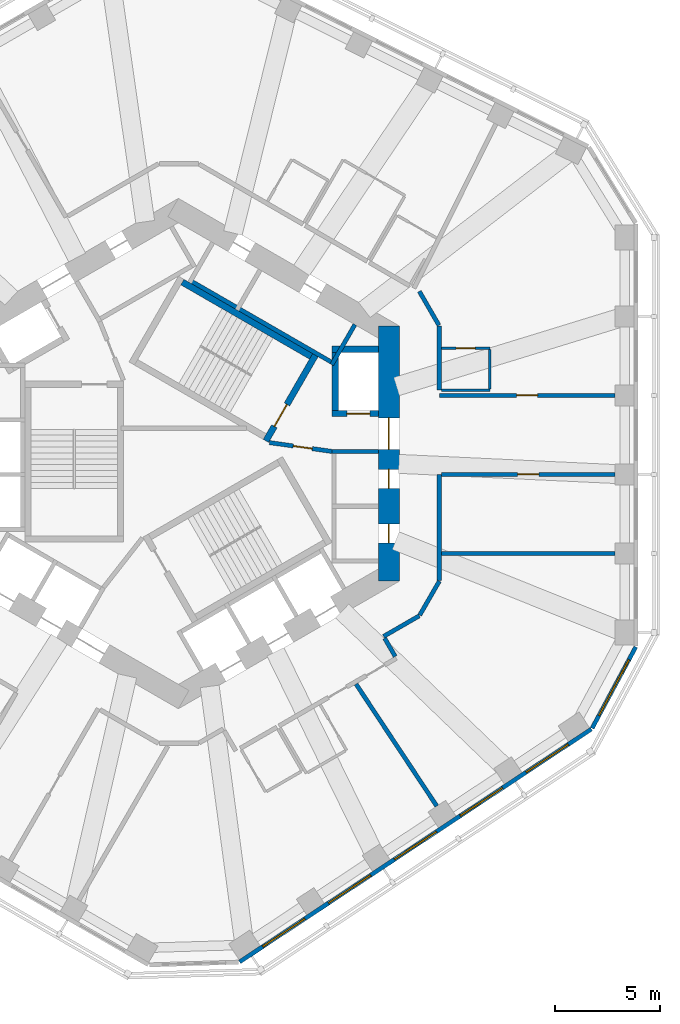
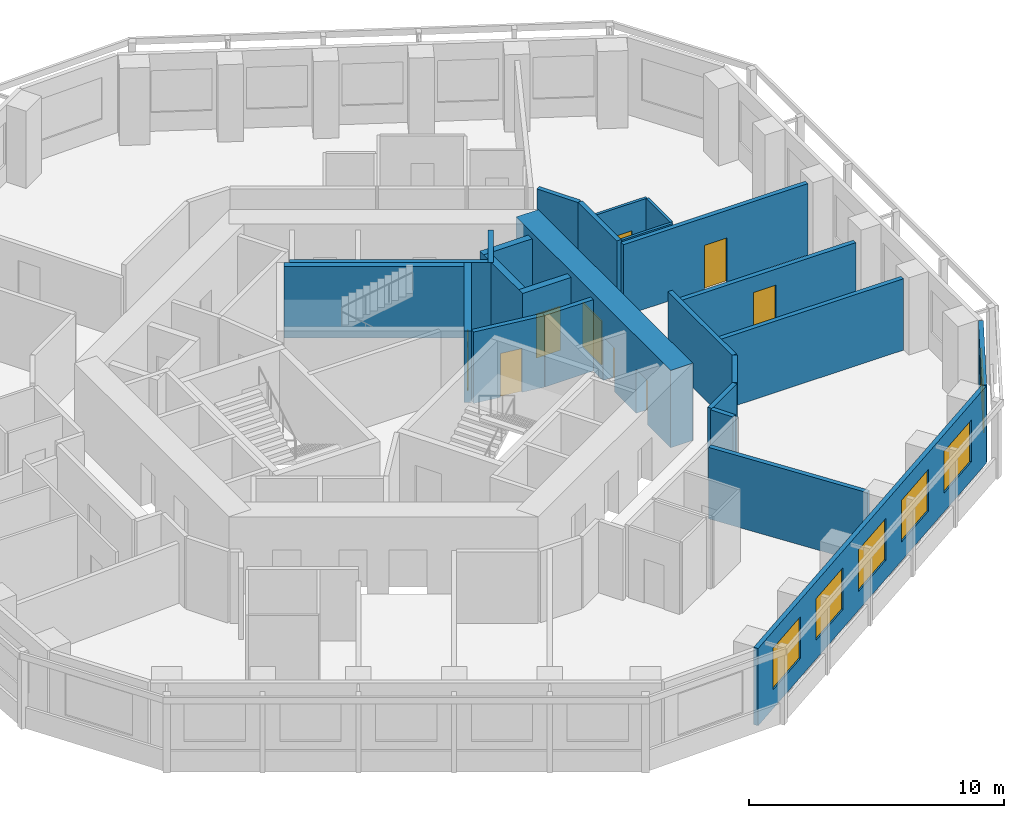
# One storey, part 6 of 11: 25 walls, 9 doors, 6 windows, 15 openings.
"""IFC4 building model written with IfcOpenShell, lengths in metres."""

from ifc_helpers import new_model, si_unit, direction, frame, frame_2d, origin, place, context, subcontext, project, spatial, rectangle, extrude, material, layer, layer_set, type_object, element, fill, save


model = new_model("IFC4")

# Units and contexts
model_context = context("Model", 3, precision=1e-05, world=origin(), true_north=direction((0.0, 1.0)))
body_context = subcontext(model_context, "Body", "Model", "MODEL_VIEW")
ifc_project = project(units=[si_unit("LENGTHUNIT", "METRE"), si_unit("AREAUNIT", "SQUARE_METRE"), si_unit("VOLUMEUNIT", "CUBIC_METRE"), si_unit("PLANEANGLEUNIT", "RADIAN"), si_unit("MASSUNIT", "GRAM", prefix="KILO")], contexts=[model_context])

# Site, building, storey
site_placement = place(None, origin())
site = spatial("IfcSite", under=ifc_project, at=site_placement, CompositionType="ELEMENT")
building_placement = place(site_placement, origin())
building = spatial("IfcBuilding", under=site, at=building_placement, Name="Vanh Sen Convention Tower", CompositionType="ELEMENT")
storey_placement = place(building_placement, frame((0.0, 0.0, 168.800048828125)))
storey = spatial("IfcBuildingStorey", under=building, at=storey_placement, Name="L41", CompositionType="ELEMENT", Elevation=168.800048828125)

# Wall, opening, door
ifc_material_1 = material(Name="Moisture-resistant gypsum board on steel studs", Category="steel")
ifc_layer_1 = layer(ifc_material_1, 0.1201171875)
ifc_layer_set_1 = layer_set([ifc_layer_1], Name="Moisture-resistant gypsum board on steel studs")
wall_type_1 = type_object("IfcWallType", Name="Bathroom partition 120", PredefinedType="PARTITIONING", material=ifc_layer_set_1)
wall_1_placement = place(storey_placement, frame((12.5, 5.01123046875, 0.0), z_axis=(0.0, 0.0, 1.0), x_axis=(1.0, 0.0, 0.0)))
wall_1 = element("IfcWall", 1, at=wall_1_placement, inside=storey, type_object=wall_type_1, Name="Bathroom partition 120", PredefinedType="PARTITIONING", context=body_context, shape_type="SweptSolid", body=[
    extrude(rectangle(XDim=2.300048828125, YDim=0.1201171875, at=frame_2d((1.14990234375, 0.0))), origin(), (0.0, 0.0, 1.0), 3.419921875),
])
opening_1_placement = place(wall_1_placement, frame((0.699951171875, 0.0, 0.0)))
opening_1 = element("IfcOpeningElement", 2, at=opening_1_placement, cuts=wall_1, Name="Opening D41102", PredefinedType="OPENING", context=body_context, shape_type="SweptSolid", body=[
    extrude(rectangle(XDim=0.89990234375, YDim=2.10009765625, at=frame_2d((0.449951171875, 1.050048828125))), frame((0.0, 0.070068359375, 0.0), z_axis=(0.0, -1.0, 0.0), x_axis=(1.0, 0.0, 0.0)), (0.0, 0.0, 1.0), 0.14013671875),
])
ifc_material_2 = material(Name="Laminate door in steel frame", Category="steel")
door_type_1 = type_object("IfcDoorType", Name="Room internal door 900", OperationType="SINGLE_SWING_LEFT", PredefinedType="DOOR", material=ifc_material_2)
door_1_placement = place(opening_1_placement, origin())
door_1 = element("IfcDoor", 3, at=door_1_placement, inside=storey, type_object=door_type_1, Name="Internal room door D41102", OperationType="SINGLE_SWING_LEFT", OverallHeight=2.10009765625, OverallWidth=0.89990234375, PredefinedType="DOOR", context=body_context, shape_type="SweptSolid", body=[
    extrude(rectangle(XDim=0.89990234375, YDim=2.10009765625, at=frame_2d((0.449951171875, 1.050048828125))), frame((0.0, 0.02490234375, 0.0), z_axis=(0.0, -1.0, 0.0), x_axis=(1.0, 0.0, 0.0)), (0.0, 0.0, 1.0), 0.050048828125),
])
fill(opening_1, door_1)

# Walls
wall_2_placement = place(storey_placement, frame((14.800048828125, 3.01123046875, 0.0), z_axis=(0.0, 0.0, 1.0), x_axis=(-1.0, 0.0, 0.0)))
element("IfcWall", 4, at=wall_2_placement, inside=storey, type_object=wall_type_1, Name="Bathroom partition 120", PredefinedType="PARTITIONING", context=body_context, shape_type="SweptSolid", body=[
    extrude(rectangle(XDim=2.300048828125, YDim=0.1201171875, at=frame_2d((1.14990234375, 0.0))), origin(), (0.0, 0.0, 1.0), 3.419921875),
])
wall_3_placement = place(storey_placement, frame((14.800048828125, 4.951416015625, 0.0), z_axis=(0.0, 0.0, 1.0), x_axis=(0.0, -1.0, 0.0)))
element("IfcWall", 5, at=wall_3_placement, inside=storey, type_object=wall_type_1, Name="Bathroom partition 120", PredefinedType="PARTITIONING", context=body_context, shape_type="SweptSolid", body=[
    extrude(rectangle(XDim=1.880126953125, YDim=0.1201171875, at=frame_2d((0.93994140625, 0.0))), origin(), (0.0, 0.0, 1.0), 3.419921875),
])

# Wall, openings, doors
ifc_material_3 = material(Name="Concrete C80/95", Category="concrete")
ifc_layer_2 = layer(ifc_material_3, 1.0)
ifc_layer_set_2 = layer_set([ifc_layer_2], Name="Concrete C80/95")
wall_type_2 = type_object("IfcWallType", Name="Core outer wall 1000 C80/95", PredefinedType="SHEAR", material=ifc_layer_set_2)
wall_4_placement = place(storey_placement, frame((10.0, -6.062255859375, 0.0), z_axis=(0.0, 0.0, 1.0), x_axis=(0.0, 1.0, 0.0)))
wall_4 = element("IfcWall", 6, at=wall_4_placement, inside=storey, type_object=wall_type_2, Name="Core wall face E L41", PredefinedType="SHEAR", context=body_context, shape_type="SweptSolid", body=[
    extrude(rectangle(XDim=12.12451171875, YDim=1.0, at=frame_2d((6.062255859375, 0.0))), origin(), (0.0, 0.0, 1.0), 3.699951171875),
])
opening_2_placement = place(wall_4_placement, frame((6.26220703125, 0.0, 0.0)))
opening_2 = element("IfcOpeningElement", 7, at=opening_2_placement, cuts=wall_4, Name="Opening D41001", PredefinedType="OPENING", context=body_context, shape_type="SweptSolid", body=[
    extrude(rectangle(XDim=1.5, YDim=2.10009765625, at=frame_2d((0.75, 1.050048828125))), frame((0.0, 0.510009765625, 0.0), z_axis=(0.0, -1.0, 0.0), x_axis=(1.0, 0.0, 0.0)), (0.0, 0.0, 1.0), 1.02001953125),
])
opening_3_placement = place(wall_4_placement, frame((1.812255859375, 0.0, 0.0)))
opening_3 = element("IfcOpeningElement", 8, at=opening_3_placement, cuts=wall_4, Name="Opening D41009", PredefinedType="OPENING", context=body_context, shape_type="SweptSolid", body=[
    extrude(rectangle(XDim=0.89990234375, YDim=2.10009765625, at=frame_2d((0.449951171875, 1.050048828125))), frame((0.0, 0.510009765625, 0.0), z_axis=(0.0, -1.0, 0.0), x_axis=(1.0, 0.0, 0.0)), (0.0, 0.0, 1.0), 1.02001953125),
])
opening_4_placement = place(wall_4_placement, frame((4.412109375, 0.0, 0.0)))
opening_4 = element("IfcOpeningElement", 9, at=opening_4_placement, cuts=wall_4, Name="Opening D41010", PredefinedType="OPENING", context=body_context, shape_type="SweptSolid", body=[
    extrude(rectangle(XDim=0.89990234375, YDim=2.10009765625, at=frame_2d((0.449951171875, 1.050048828125))), frame((0.0, 0.510009765625, 0.0), z_axis=(0.0, -1.0, 0.0), x_axis=(1.0, 0.0, 0.0)), (0.0, 0.0, 1.0), 1.02001953125),
])
ifc_material_4 = material(Name="Steel S355", Category="steel")
door_type_2 = type_object("IfcDoorType", Name="Plant door 900", OperationType="SINGLE_SWING_LEFT", PredefinedType="DOOR", material=ifc_material_4)
door_2_placement = place(opening_3_placement, origin())
door_2 = element("IfcDoor", 10, at=door_2_placement, inside=storey, type_object=door_type_2, Name="Plant door D41009", OperationType="SINGLE_SWING_LEFT", OverallHeight=2.10009765625, OverallWidth=0.89990234375, PredefinedType="DOOR", context=body_context, shape_type="SweptSolid", body=[
    extrude(rectangle(XDim=0.89990234375, YDim=2.10009765625, at=frame_2d((0.449951171875, 1.050048828125))), frame((0.0, 0.02490234375, 0.0), z_axis=(0.0, -1.0, 0.0), x_axis=(1.0, 0.0, 0.0)), (0.0, 0.0, 1.0), 0.050048828125),
])
fill(opening_3, door_2)
door_3_placement = place(opening_4_placement, origin())
door_3 = element("IfcDoor", 11, at=door_3_placement, inside=storey, type_object=door_type_2, Name="Plant door D41010", OperationType="SINGLE_SWING_LEFT", OverallHeight=2.10009765625, OverallWidth=0.89990234375, PredefinedType="DOOR", context=body_context, shape_type="SweptSolid", body=[
    extrude(rectangle(XDim=0.89990234375, YDim=2.10009765625, at=frame_2d((0.449951171875, 1.050048828125))), frame((0.0, 0.02490234375, 0.0), z_axis=(0.0, -1.0, 0.0), x_axis=(1.0, 0.0, 0.0)), (0.0, 0.0, 1.0), 0.050048828125),
])
fill(opening_4, door_3)
door_type_3 = type_object("IfcDoorType", Name="Stair lobby door 1500", OperationType="DOUBLE_DOOR_SINGLE_SWING", PredefinedType="DOOR", material=ifc_material_4)
door_4_placement = place(opening_2_placement, origin())
door_4 = element("IfcDoor", 12, at=door_4_placement, inside=storey, type_object=door_type_3, Name="Stair lobby door D41001", OperationType="DOUBLE_DOOR_SINGLE_SWING", OverallHeight=2.10009765625, OverallWidth=1.5, PredefinedType="DOOR", context=body_context, shape_type="SweptSolid", body=[
    extrude(rectangle(XDim=1.5, YDim=2.10009765625, at=frame_2d((0.75, 1.050048828125))), frame((0.0, 0.02490234375, 0.0), z_axis=(0.0, -1.0, 0.0), x_axis=(1.0, 0.0, 0.0)), (0.0, 0.0, 1.0), 0.050048828125),
])
fill(opening_2, door_4)

# Walls
ifc_material_5 = material(Name="Gypsum board on steel studs with mineral wool", Category="steel")
ifc_layer_3 = layer(ifc_material_5, 0.199951171875)
ifc_layer_set_3 = layer_set([ifc_layer_3], Name="Gypsum board on steel studs with mineral wool")
wall_type_3 = type_object("IfcWallType", Name="Corridor partition wall 200", PredefinedType="PARTITIONING", material=ifc_layer_set_3)
wall_5_placement = place(storey_placement, frame((9.751708984375, -8.688232421875, 0.0), z_axis=(0.0, 0.0, 1.0), x_axis=(0.865974105138, 0.500088841337, 0.0)))
element("IfcWall", 13, at=wall_5_placement, inside=storey, type_object=wall_type_3, Name="Corridor partition wall 200", PredefinedType="PARTITIONING", context=body_context, shape_type="SweptSolid", body=[
    extrude(rectangle(XDim=1.961181640625, YDim=0.199951171875, at=frame_2d((0.98046875, 0.0))), origin(), (0.0, 0.0, 1.0), 3.419921875),
])
wall_6_placement = place(storey_placement, frame((10.302001953125, -9.6416015625, 0.0), z_axis=(0.0, 0.0, 1.0), x_axis=(-0.500074377092, 0.865982457891, 0.0)))
element("IfcWall", 14, at=wall_6_placement, inside=storey, type_object=wall_type_3, Name="Corridor partition wall 200", PredefinedType="PARTITIONING", context=body_context, shape_type="SweptSolid", body=[
    extrude(rectangle(XDim=1.000732421875, YDim=0.199951171875, at=frame_2d((0.50048828125, 0.0))), origin(), (0.0, 0.0, 1.0), 3.419921875),
])
for number, where, z_axis, x_axis, name in (
    (15, (11.469970703125, -7.673095703125, 0.0), (0.0, 0.0, 1.0), (0.499964847546, 0.866045698112, 0.0), "Corridor partition wall 200"),
    (16, (12.3798828125, 6.0966796875, 0.0), (0.0, 0.0, 1.0), (-0.499964847546, 0.866045698112, 0.0), "Corridor partition wall 200"),
):
    element("IfcWall", number, at=place(storey_placement, frame(where, z_axis=z_axis, x_axis=x_axis)), inside=storey, type_object=wall_type_3, Name=name, PredefinedType="PARTITIONING", context=body_context, shape_type="SweptSolid", body=[
        extrude(rectangle(XDim=1.860107421875, YDim=0.199951171875, at=frame_2d((0.93017578125, 0.0))), origin(), (0.0, 0.0, 1.0), 3.419921875),
    ])
wall_7_placement = place(storey_placement, frame((12.39990234375, -6.022216796875, 0.0), z_axis=(0.0, 0.0, 1.0), x_axis=(0.0, 1.0, 0.0)))
element("IfcWall", 17, at=wall_7_placement, inside=storey, type_object=wall_type_3, Name="Corridor partition wall 200", PredefinedType="PARTITIONING", context=body_context, shape_type="SweptSolid", body=[
    extrude(rectangle(XDim=5.029296875, YDim=0.199951171875, at=frame_2d((2.5146484375, 0.0))), origin(), (0.0, 0.0, 1.0), 3.419921875),
])
wall_8_placement = place(storey_placement, frame((12.39990234375, 3.01123046875, 0.0), z_axis=(0.0, 0.0, 1.0), x_axis=(0.0, 1.0, 0.0)))
element("IfcWall", 18, at=wall_8_placement, inside=storey, type_object=wall_type_3, Name="Corridor partition wall 200", PredefinedType="PARTITIONING", context=body_context, shape_type="SweptSolid", body=[
    extrude(rectangle(XDim=3.051025390625, YDim=0.199951171875, at=frame_2d((1.525390625, 0.0))), origin(), (0.0, 0.0, 1.0), 3.419921875),
])

# Wall, opening, door
wall_9_placement = place(storey_placement, frame((12.5, -0.992919921875, 0.0), z_axis=(0.0, 0.0, 1.0), x_axis=(1.0, 0.0, 0.0)))
wall_9 = element("IfcWall", 19, at=wall_9_placement, inside=storey, type_object=wall_type_3, Name="Corridor partition wall 200", PredefinedType="PARTITIONING", context=body_context, shape_type="SweptSolid", body=[
    extrude(rectangle(XDim=8.25, YDim=0.199951171875, at=frame_2d((4.125, 0.0))), origin(), (0.0, 0.0, 1.0), 2.869873046875),
])
opening_5_placement = place(wall_9_placement, frame((3.625, 0.0, 0.0)))
opening_5 = element("IfcOpeningElement", 20, at=opening_5_placement, cuts=wall_9, Name="Opening D41120", PredefinedType="OPENING", context=body_context, shape_type="SweptSolid", body=[
    extrude(rectangle(XDim=1.0, YDim=2.10009765625, at=frame_2d((0.5, 1.050048828125))), frame((0.0, 0.10986328125, 0.0), z_axis=(0.0, -1.0, 0.0), x_axis=(1.0, 0.0, 0.0)), (0.0, 0.0, 1.0), 0.219970703125),
])
ifc_material_6 = material(Name="Glazed fire door in steel frame", Category="steel")
door_type_4 = type_object("IfcDoorType", Name="Tenant entrance door 1000", OperationType="SINGLE_SWING_LEFT", PredefinedType="DOOR", material=ifc_material_6)
door_5_placement = place(opening_5_placement, origin())
door_5 = element("IfcDoor", 21, at=door_5_placement, inside=storey, type_object=door_type_4, Name="Tenant suite entrance door D41120", OperationType="SINGLE_SWING_LEFT", OverallHeight=2.10009765625, OverallWidth=1.0, PredefinedType="DOOR", context=body_context, shape_type="SweptSolid", body=[
    extrude(rectangle(XDim=1.0, YDim=2.10009765625, at=frame_2d((0.5, 1.050048828125))), frame((0.0, 0.02490234375, 0.0), z_axis=(0.0, -1.0, 0.0), x_axis=(1.0, 0.0, 0.0)), (0.0, 0.0, 1.0), 0.050048828125),
])
fill(opening_5, door_5)

wall_10_placement = place(storey_placement, frame((20.75, 2.76123046875, 0.0), z_axis=(0.0, 0.0, 1.0), x_axis=(-1.0, 0.0, 0.0)))
wall_10 = element("IfcWall", 22, at=wall_10_placement, inside=storey, type_object=wall_type_3, Name="Corridor partition wall 200", PredefinedType="PARTITIONING", context=body_context, shape_type="SweptSolid", body=[
    extrude(rectangle(XDim=8.35009765625, YDim=0.199951171875, at=frame_2d((4.175048828125, 0.0))), origin(), (0.0, 0.0, 1.0), 3.419921875),
])
opening_6_placement = place(wall_10_placement, frame((3.675048828125, 0.0, 0.0)))
opening_6 = element("IfcOpeningElement", 23, at=opening_6_placement, cuts=wall_10, Name="Opening D41101", PredefinedType="OPENING", context=body_context, shape_type="SweptSolid", body=[
    extrude(rectangle(XDim=1.0, YDim=2.10009765625, at=frame_2d((0.5, 1.050048828125))), frame((0.0, 0.10986328125, 0.0), z_axis=(0.0, -1.0, 0.0), x_axis=(1.0, 0.0, 0.0)), (0.0, 0.0, 1.0), 0.219970703125),
])
door_6_placement = place(opening_6_placement, origin())
door_6 = element("IfcDoor", 24, at=door_6_placement, inside=storey, type_object=door_type_4, Name="Tenant suite entrance door D41101", OperationType="SINGLE_SWING_LEFT", OverallHeight=2.10009765625, OverallWidth=1.0, PredefinedType="DOOR", context=body_context, shape_type="SweptSolid", body=[
    extrude(rectangle(XDim=1.0, YDim=2.10009765625, at=frame_2d((0.5, 1.050048828125))), frame((0.0, 0.02490234375, 0.0), z_axis=(0.0, -1.0, 0.0), x_axis=(1.0, 0.0, 0.0)), (0.0, 0.0, 1.0), 0.050048828125),
])
fill(opening_6, door_6)

# Wall, openings, windows
ifc_material_7 = material(Name="Insulated lightweight infill wall")
ifc_layer_4 = layer(ifc_material_7, 0.199951171875)
ifc_layer_set_4 = layer_set([ifc_layer_4], Name="Insulated lightweight infill wall")
wall_type_4 = type_object("IfcWallType", Name="External wall 200", PredefinedType="STANDARD", material=ifc_layer_set_4)
wall_11_placement = place(storey_placement, frame((2.910888671875, -24.156005859375, 0.0), z_axis=(0.0, 0.0, 1.0), x_axis=(0.833882163564, 0.551942512668, 0.0)))
wall_11 = element("IfcWall", 25, at=wall_11_placement, inside=storey, type_object=wall_type_4, Name="External wall SE L41", PredefinedType="STANDARD", context=body_context, shape_type="SweptSolid", body=[
    extrude(rectangle(XDim=20.043701171875, YDim=0.199951171875, at=frame_2d((10.02197265625, 0.0))), origin(), (0.0, 0.0, 1.0), 3.699951171875),
])
opening_7_placement = place(wall_11_placement, frame((1.312744140625, 0.0, 0.89990234375)))
opening_7 = element("IfcOpeningElement", 26, at=opening_7_placement, cuts=wall_11, Name="Opening WO1-SE1", PredefinedType="OPENING", context=body_context, shape_type="SweptSolid", body=[
    extrude(rectangle(XDim=2.39990234375, YDim=2.0, at=frame_2d((1.199951171875, 1.0))), frame((0.0, 0.10986328125, 0.0), z_axis=(0.0, -1.0, 0.0), x_axis=(1.0, 0.0, 0.0)), (0.0, 0.0, 1.0), 0.219970703125),
])
opening_8_placement = place(wall_11_placement, frame((5.06689453125, 0.0, 0.89990234375)))
opening_8 = element("IfcOpeningElement", 27, at=opening_8_placement, cuts=wall_11, Name="Opening WO1-SE2", PredefinedType="OPENING", context=body_context, shape_type="SweptSolid", body=[
    extrude(rectangle(XDim=2.39990234375, YDim=2.0, at=frame_2d((1.199951171875, 1.0))), frame((0.0, 0.10986328125, 0.0), z_axis=(0.0, -1.0, 0.0), x_axis=(1.0, 0.0, 0.0)), (0.0, 0.0, 1.0), 0.219970703125),
])
opening_9_placement = place(wall_11_placement, frame((8.82080078125, 0.0, 0.89990234375)))
opening_9 = element("IfcOpeningElement", 28, at=opening_9_placement, cuts=wall_11, Name="Opening WO1-SE3", PredefinedType="OPENING", context=body_context, shape_type="SweptSolid", body=[
    extrude(rectangle(XDim=2.39990234375, YDim=2.0, at=frame_2d((1.199951171875, 1.0))), frame((0.0, 0.10986328125, 0.0), z_axis=(0.0, -1.0, 0.0), x_axis=(1.0, 0.0, 0.0)), (0.0, 0.0, 1.0), 0.219970703125),
])
opening_10_placement = place(wall_11_placement, frame((12.5751953125, 0.0, 0.89990234375)))
opening_10 = element("IfcOpeningElement", 29, at=opening_10_placement, cuts=wall_11, Name="Opening WO1-SE4", PredefinedType="OPENING", context=body_context, shape_type="SweptSolid", body=[
    extrude(rectangle(XDim=2.39990234375, YDim=2.0, at=frame_2d((1.199951171875, 1.0))), frame((0.0, 0.10986328125, 0.0), z_axis=(0.0, -1.0, 0.0), x_axis=(1.0, 0.0, 0.0)), (0.0, 0.0, 1.0), 0.219970703125),
])
opening_11_placement = place(wall_11_placement, frame((16.3291015625, 0.0, 0.89990234375)))
opening_11 = element("IfcOpeningElement", 30, at=opening_11_placement, cuts=wall_11, Name="Opening WO1-SE5", PredefinedType="OPENING", context=body_context, shape_type="SweptSolid", body=[
    extrude(rectangle(XDim=2.39990234375, YDim=2.0, at=frame_2d((1.199951171875, 1.0))), frame((0.0, 0.10986328125, 0.0), z_axis=(0.0, -1.0, 0.0), x_axis=(1.0, 0.0, 0.0)), (0.0, 0.0, 1.0), 0.219970703125),
])
ifc_material_8 = material(Name="Aluminium frame with clear low-emissivity glass", Category="aluminium")
window_type_1 = type_object("IfcWindowType", Name="Office window 2400 x 2000", PartitioningType="SINGLE_PANEL", PredefinedType="WINDOW", material=ifc_material_8)
window_1_placement = place(opening_7_placement, origin())
window_1 = element("IfcWindow", 31, at=window_1_placement, inside=storey, type_object=window_type_1, Name="Window WO1-SE1", OverallHeight=2.0, OverallWidth=2.39990234375, PartitioningType="SINGLE_PANEL", PredefinedType="WINDOW", context=body_context, shape_type="SweptSolid", body=[
    extrude(rectangle(XDim=2.39990234375, YDim=2.0, at=frame_2d((1.199951171875, 1.0))), frame((0.0, 0.030029296875, 0.0), z_axis=(0.0, -1.0, 0.0), x_axis=(1.0, 0.0, 0.0)), (0.0, 0.0, 1.0), 0.06005859375),
])
fill(opening_7, window_1)
window_2_placement = place(opening_8_placement, origin())
window_2 = element("IfcWindow", 32, at=window_2_placement, inside=storey, type_object=window_type_1, Name="Window WO1-SE2", OverallHeight=2.0, OverallWidth=2.39990234375, PartitioningType="SINGLE_PANEL", PredefinedType="WINDOW", context=body_context, shape_type="SweptSolid", body=[
    extrude(rectangle(XDim=2.39990234375, YDim=2.0, at=frame_2d((1.199951171875, 1.0))), frame((0.0, 0.030029296875, 0.0), z_axis=(0.0, -1.0, 0.0), x_axis=(1.0, 0.0, 0.0)), (0.0, 0.0, 1.0), 0.06005859375),
])
fill(opening_8, window_2)
window_3_placement = place(opening_9_placement, origin())
window_3 = element("IfcWindow", 33, at=window_3_placement, inside=storey, type_object=window_type_1, Name="Window WO1-SE3", OverallHeight=2.0, OverallWidth=2.39990234375, PartitioningType="SINGLE_PANEL", PredefinedType="WINDOW", context=body_context, shape_type="SweptSolid", body=[
    extrude(rectangle(XDim=2.39990234375, YDim=2.0, at=frame_2d((1.199951171875, 1.0))), frame((0.0, 0.030029296875, 0.0), z_axis=(0.0, -1.0, 0.0), x_axis=(1.0, 0.0, 0.0)), (0.0, 0.0, 1.0), 0.06005859375),
])
fill(opening_9, window_3)
window_4_placement = place(opening_10_placement, origin())
window_4 = element("IfcWindow", 34, at=window_4_placement, inside=storey, type_object=window_type_1, Name="Window WO1-SE4", OverallHeight=2.0, OverallWidth=2.39990234375, PartitioningType="SINGLE_PANEL", PredefinedType="WINDOW", context=body_context, shape_type="SweptSolid", body=[
    extrude(rectangle(XDim=2.39990234375, YDim=2.0, at=frame_2d((1.199951171875, 1.0))), frame((0.0, 0.030029296875, 0.0), z_axis=(0.0, -1.0, 0.0), x_axis=(1.0, 0.0, 0.0)), (0.0, 0.0, 1.0), 0.06005859375),
])
fill(opening_10, window_4)
window_5_placement = place(opening_11_placement, origin())
window_5 = element("IfcWindow", 35, at=window_5_placement, inside=storey, type_object=window_type_1, Name="Window WO1-SE5", OverallHeight=2.0, OverallWidth=2.39990234375, PartitioningType="SINGLE_PANEL", PredefinedType="WINDOW", context=body_context, shape_type="SweptSolid", body=[
    extrude(rectangle(XDim=2.39990234375, YDim=2.0, at=frame_2d((1.199951171875, 1.0))), frame((0.0, 0.030029296875, 0.0), z_axis=(0.0, -1.0, 0.0), x_axis=(1.0, 0.0, 0.0)), (0.0, 0.0, 1.0), 0.06005859375),
])
fill(opening_11, window_5)

# Wall, opening, window
wall_12_placement = place(storey_placement, frame((19.657958984375, -13.05712890625, 0.0), z_axis=(0.0, 0.0, 1.0), x_axis=(0.473307879841, 0.880897071672, 0.0)))
wall_12 = element("IfcWall", 36, at=wall_12_placement, inside=storey, type_object=wall_type_4, Name="External wall CH6 L41", PredefinedType="STANDARD", context=body_context, shape_type="SweptSolid", body=[
    extrude(rectangle(XDim=4.394775390625, YDim=0.199951171875, at=frame_2d((2.197265625, 0.0))), origin(), (0.0, 0.0, 1.0), 3.699951171875),
])
opening_12_placement = place(wall_12_placement, frame((0.697509765625, 0.0, 0.89990234375)))
opening_12 = element("IfcOpeningElement", 37, at=opening_12_placement, cuts=wall_12, Name="Opening WO2-CH61", PredefinedType="OPENING", context=body_context, shape_type="SweptSolid", body=[
    extrude(rectangle(XDim=3.0, YDim=2.0, at=frame_2d((1.5, 1.0))), frame((0.0, 0.10986328125, 0.0), z_axis=(0.0, -1.0, 0.0), x_axis=(1.0, 0.0, 0.0)), (0.0, 0.0, 1.0), 0.219970703125),
])
window_type_2 = type_object("IfcWindowType", Name="Office window 3000 x 2000", PartitioningType="SINGLE_PANEL", PredefinedType="WINDOW", material=ifc_material_8)
window_6_placement = place(opening_12_placement, origin())
window_6 = element("IfcWindow", 38, at=window_6_placement, inside=storey, type_object=window_type_2, Name="Window WO2-CH61", OverallHeight=2.0, OverallWidth=3.0, PartitioningType="SINGLE_PANEL", PredefinedType="WINDOW", context=body_context, shape_type="SweptSolid", body=[
    extrude(rectangle(XDim=3.0, YDim=2.0, at=frame_2d((1.5, 1.0))), frame((0.0, 0.030029296875, 0.0), z_axis=(0.0, -1.0, 0.0), x_axis=(1.0, 0.0, 0.0)), (0.0, 0.0, 1.0), 0.06005859375),
])
fill(opening_12, window_6)

# Wall, opening, door
ifc_material_9 = material(Name="Concrete C60/75", Category="concrete")
ifc_layer_5 = layer(ifc_material_9, 0.300048828125)
ifc_layer_set_5 = layer_set([ifc_layer_5], Name="Concrete C60/75")
wall_type_5 = type_object("IfcWallType", Name="Fire-fighting lift shaft wall 300", PredefinedType="SHEAR", material=ifc_layer_set_5)
wall_13_placement = place(storey_placement, frame((7.300048828125, 1.89990234375, 0.0), z_axis=(0.0, 0.0, 1.0), x_axis=(1.0, 0.0, 0.0)))
wall_13 = element("IfcWall", 39, at=wall_13_placement, inside=storey, type_object=wall_type_5, Name="Fire-fighting lift shaft wall L41", PredefinedType="SHEAR", context=body_context, shape_type="SweptSolid", body=[
    extrude(rectangle(XDim=2.199951171875, YDim=0.300048828125, at=frame_2d((1.10009765625, 0.0))), origin(), (0.0, 0.0, 1.0), 3.419921875),
])
opening_13_placement = place(wall_13_placement, frame((0.699951171875, 0.0, 0.0)))
opening_13 = element("IfcOpeningElement", 40, at=opening_13_placement, cuts=wall_13, Name="Opening LD-FF1", PredefinedType="OPENING", context=body_context, shape_type="SweptSolid", body=[
    extrude(rectangle(XDim=1.10009765625, YDim=2.10009765625, at=frame_2d((0.550048828125, 1.050048828125))), frame((0.0, 0.159912109375, 0.0), z_axis=(0.0, -1.0, 0.0), x_axis=(1.0, 0.0, 0.0)), (0.0, 0.0, 1.0), 0.320068359375),
])
ifc_material_10 = material(Name="Stainless steel", Category="steel")
door_type_5 = type_object("IfcDoorType", Name="Fire-fighting lift landing door 1100", OperationType="DOUBLE_DOOR_SLIDING", PredefinedType="DOOR", material=ifc_material_10)
door_7_placement = place(opening_13_placement, origin())
door_7 = element("IfcDoor", 41, at=door_7_placement, inside=storey, type_object=door_type_5, Name="Lift FF1 landing door LD-FF1", OperationType="DOUBLE_DOOR_SLIDING", OverallHeight=2.10009765625, OverallWidth=1.10009765625, PredefinedType="DOOR", context=body_context, shape_type="SweptSolid", body=[
    extrude(rectangle(XDim=1.10009765625, YDim=2.10009765625, at=frame_2d((0.550048828125, 1.050048828125))), frame((0.0, 0.02490234375, 0.0), z_axis=(0.0, -1.0, 0.0), x_axis=(1.0, 0.0, 0.0)), (0.0, 0.0, 1.0), 0.050048828125),
])
fill(opening_13, door_7)

# Walls
wall_14_placement = place(storey_placement, frame((7.449951171875, 1.75, 0.0), z_axis=(0.0, 0.0, 1.0), x_axis=(0.0, 1.0, 0.0)))
element("IfcWall", 42, at=wall_14_placement, inside=storey, type_object=wall_type_5, Name="Fire-fighting lift shaft wall L41", PredefinedType="SHEAR", context=body_context, shape_type="SweptSolid", body=[
    extrude(rectangle(XDim=3.35009765625, YDim=0.300048828125, at=frame_2d((1.675048828125, 0.0))), origin(), (0.0, 0.0, 1.0), 3.419921875),
])
wall_15_placement = place(storey_placement, frame((7.300048828125, 4.949951171875, 0.0), z_axis=(0.0, 0.0, 1.0), x_axis=(1.0, 0.0, 0.0)))
element("IfcWall", 43, at=wall_15_placement, inside=storey, type_object=wall_type_5, Name="Fire-fighting lift shaft wall L41", PredefinedType="SHEAR", context=body_context, shape_type="SweptSolid", body=[
    extrude(rectangle(XDim=2.199951171875, YDim=0.300048828125, at=frame_2d((1.10009765625, 0.0))), origin(), (0.0, 0.0, 1.0), 3.419921875),
])
ifc_material_11 = material(Name="Concrete C40/50", Category="concrete")
ifc_layer_6 = layer(ifc_material_11, 0.199951171875)
ifc_layer_set_6 = layer_set([ifc_layer_6], Name="Concrete C40/50")
wall_type_6 = type_object("IfcWallType", Name="Lift shaft wall 200", PredefinedType="PARTITIONING", material=ifc_layer_set_6)
wall_16_placement = place(storey_placement, frame((7.300048828125, 0.10009765625, 0.0), z_axis=(0.0, 0.0, 1.0), x_axis=(1.0, 0.0, 0.0)))
element("IfcWall", 44, at=wall_16_placement, inside=storey, type_object=wall_type_6, Name="Lift shaft wall L41", PredefinedType="PARTITIONING", context=body_context, shape_type="SweptSolid", body=[
    extrude(rectangle(XDim=2.199951171875, YDim=0.199951171875, at=frame_2d((1.10009765625, 0.0))), origin(), (0.0, 0.0, 1.0), 3.419921875),
])
wall_17_placement = place(storey_placement, frame((7.423828125, 4.258544921875, 0.0), z_axis=(0.0, 0.0, 1.0), x_axis=(-0.866026010844, 0.49999894854, 0.0)))
element("IfcWall", 45, at=wall_17_placement, inside=storey, type_object=wall_type_6, Name="Lift shaft wall L41", PredefinedType="PARTITIONING", context=body_context, shape_type="SweptSolid", body=[
    extrude(rectangle(XDim=8.0, YDim=0.199951171875, at=frame_2d((4.0, 0.0))), origin(), (0.0, 0.0, 1.0), 3.419921875),
])
wall_18_placement = place(storey_placement, frame((7.287353515625, 4.221923828125, 0.0), z_axis=(0.0, 0.0, 1.0), x_axis=(0.499946605688, 0.86605622881, 0.0)))
element("IfcWall", 46, at=wall_18_placement, inside=storey, type_object=wall_type_6, Name="Lift shaft wall L41", PredefinedType="PARTITIONING", context=body_context, shape_type="SweptSolid", body=[
    extrude(rectangle(XDim=2.199951171875, YDim=0.199951171875, at=frame_2d((1.10009765625, 0.0))), origin(), (0.0, 0.0, 1.0), 3.419921875),
])

# Wall, opening, door
ifc_layer_7 = layer(ifc_material_11, 0.199951171875)
ifc_layer_set_7 = layer_set([ifc_layer_7], Name="Concrete C40/50")
wall_type_7 = type_object("IfcWallType", Name="Stair lobby wall 200", PredefinedType="PARTITIONING", material=ifc_layer_set_7)
wall_19_placement = place(storey_placement, frame((4.327392578125, 0.52099609375, 0.0), z_axis=(0.0, 0.0, 1.0), x_axis=(0.990124376366, -0.14019172346, 0.0)))
wall_19 = element("IfcWall", 47, at=wall_19_placement, inside=storey, type_object=wall_type_7, Name="Stair lobby wall L41", PredefinedType="PARTITIONING", context=body_context, shape_type="SweptSolid", body=[
    extrude(rectangle(XDim=3.002197265625, YDim=0.199951171875, at=frame_2d((1.5009765625, 0.0))), origin(), (0.0, 0.0, 1.0), 3.419921875),
])
opening_14_placement = place(wall_19_placement, frame((1.14990234375, 0.0, 0.0)))
opening_14 = element("IfcOpeningElement", 48, at=opening_14_placement, cuts=wall_19, Name="Opening D41007", PredefinedType="OPENING", context=body_context, shape_type="SweptSolid", body=[
    extrude(rectangle(XDim=0.89990234375, YDim=2.10009765625, at=frame_2d((0.449951171875, 1.050048828125))), frame((0.0, 0.10986328125, 0.0), z_axis=(0.0, -1.0, 0.0), x_axis=(1.0, 0.0, 0.0)), (0.0, 0.0, 1.0), 0.219970703125),
])
door_8_placement = place(opening_14_placement, origin())
door_8 = element("IfcDoor", 49, at=door_8_placement, inside=storey, type_object=door_type_2, Name="Plant door D41007", OperationType="SINGLE_SWING_LEFT", OverallHeight=2.10009765625, OverallWidth=0.89990234375, PredefinedType="DOOR", context=body_context, shape_type="SweptSolid", body=[
    extrude(rectangle(XDim=0.89990234375, YDim=2.10009765625, at=frame_2d((0.449951171875, 1.050048828125))), frame((0.0, 0.02490234375, 0.0), z_axis=(0.0, -1.0, 0.0), x_axis=(1.0, 0.0, 0.0)), (0.0, 0.0, 1.0), 0.050048828125),
])
fill(opening_14, door_8)

ifc_layer_8 = layer(ifc_material_9, 0.300048828125)
ifc_layer_set_8 = layer_set([ifc_layer_8], Name="Concrete C60/75")
wall_type_8 = type_object("IfcWallType", Name="Stair wall 300", PredefinedType="SHEAR", material=ifc_layer_set_8)
wall_20_placement = place(storey_placement, frame((4.157958984375, 0.601806640625, 0.0), z_axis=(0.0, 0.0, 1.0), x_axis=(0.499977259774, 0.866038532462, 0.0)))
wall_20 = element("IfcWall", 50, at=wall_20_placement, inside=storey, type_object=wall_type_8, Name="Stair wall L41", PredefinedType="SHEAR", context=body_context, shape_type="SweptSolid", body=[
    extrude(rectangle(XDim=4.699951171875, YDim=0.300048828125, at=frame_2d((2.35009765625, 0.0))), origin(), (0.0, 0.0, 1.0), 3.419921875),
])
opening_15_placement = place(wall_20_placement, frame((0.800048828125, 0.0, 0.0)))
opening_15 = element("IfcOpeningElement", 51, at=opening_15_placement, cuts=wall_20, Name="Opening D41004", PredefinedType="OPENING", context=body_context, shape_type="SweptSolid", body=[
    extrude(rectangle(XDim=1.199951171875, YDim=2.10009765625, at=frame_2d((0.60009765625, 1.050048828125))), frame((0.0, 0.159912109375, 0.0), z_axis=(0.0, -1.0, 0.0), x_axis=(1.0, 0.0, 0.0)), (0.0, 0.0, 1.0), 0.320068359375),
])
door_type_6 = type_object("IfcDoorType", Name="Stair door 1200", OperationType="SINGLE_SWING_RIGHT", PredefinedType="DOOR", material=ifc_material_4)
door_9_placement = place(opening_15_placement, origin())
door_9 = element("IfcDoor", 52, at=door_9_placement, inside=storey, type_object=door_type_6, Name="Stair ST1 door D41004", OperationType="SINGLE_SWING_RIGHT", OverallHeight=2.10009765625, OverallWidth=1.199951171875, PredefinedType="DOOR", context=body_context, shape_type="SweptSolid", body=[
    extrude(rectangle(XDim=1.199951171875, YDim=2.10009765625, at=frame_2d((0.60009765625, 1.050048828125))), frame((0.0, 0.02490234375, 0.0), z_axis=(0.0, -1.0, 0.0), x_axis=(1.0, 0.0, 0.0)), (0.0, 0.0, 1.0), 0.050048828125),
])
fill(opening_15, door_9)

# Walls
wall_21_placement = place(storey_placement, frame((6.302978515625, 4.6171875, 0.0), z_axis=(0.0, 0.0, 1.0), x_axis=(-0.866027801685, 0.499995846692, 0.0)))
element("IfcWall", 53, at=wall_21_placement, inside=storey, type_object=wall_type_8, Name="Stair wall L41", PredefinedType="SHEAR", context=body_context, shape_type="SweptSolid", body=[
    extrude(rectangle(XDim=7.06005859375, YDim=0.300048828125, at=frame_2d((3.530029296875, 0.0))), origin(), (0.0, 0.0, 1.0), 3.419921875),
])
ifc_layer_9 = layer(ifc_material_5, 0.199951171875)
ifc_layer_set_9 = layer_set([ifc_layer_9], Name="Gypsum board on steel studs with mineral wool")
wall_type_9 = type_object("IfcWallType", Name="Tenant suite wall 200", PredefinedType="PARTITIONING", material=ifc_layer_set_9)
wall_22_placement = place(storey_placement, frame((12.280517578125, -16.755126953125, 0.0), z_axis=(0.0, 0.0, 1.0), x_axis=(-0.551925794663, 0.833893228888, 0.0)))
element("IfcWall", 54, at=wall_22_placement, inside=storey, type_object=wall_type_9, Name="Tenant suite wall 200", PredefinedType="PARTITIONING", context=body_context, shape_type="SweptSolid", body=[
    extrude(rectangle(XDim=6.95263671875, YDim=0.199951171875, at=frame_2d((3.476318359375, 0.0))), origin(), (0.0, 0.0, 1.0), 3.419921875),
])
wall_23_placement = place(storey_placement, frame((20.75, -4.746826171875, 0.0), z_axis=(0.0, 0.0, 1.0), x_axis=(-1.0, 0.0, 0.0)))
element("IfcWall", 55, at=wall_23_placement, inside=storey, type_object=wall_type_9, Name="Tenant suite wall 200", PredefinedType="PARTITIONING", context=body_context, shape_type="SweptSolid", body=[
    extrude(rectangle(XDim=8.25, YDim=0.199951171875, at=frame_2d((4.125, 0.0))), origin(), (0.0, 0.0, 1.0), 3.419921875),
])

save(model, "model.ifc")
